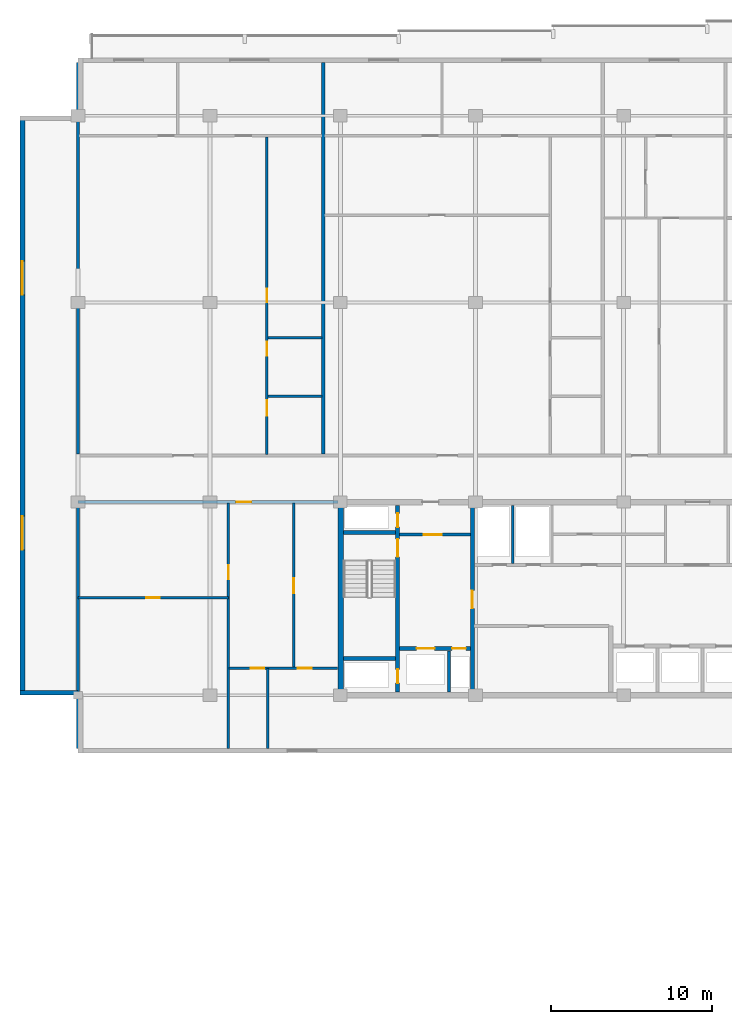
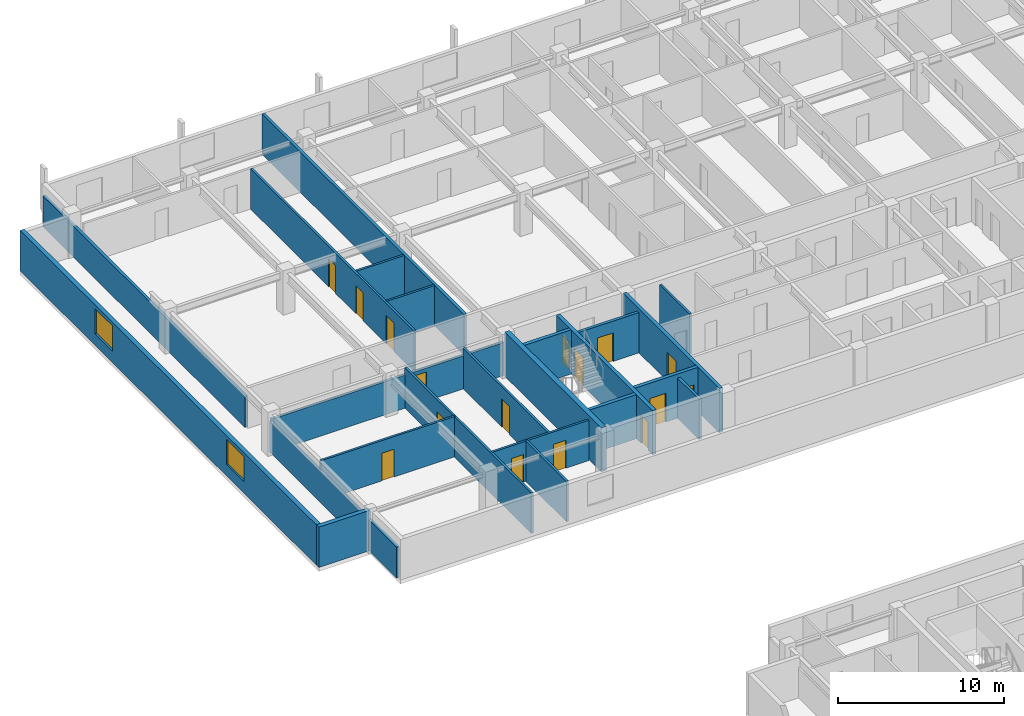
# One storey, part 10 of 21: 23 walls, 16 doors, 2 windows, 18 openings.
"""IFC4 building model written with IfcOpenShell, lengths in metres."""

from ifc_helpers import new_model, si_unit, direction, frame, frame_2d, origin, place, context, subcontext, project, spatial, rectangle, extrude, material, layer, layer_set, type_object, element, fill, save


model = new_model("IFC4")

# Units and contexts
model_context = context("Model", 3, precision=1e-05, world=origin(), true_north=direction((0.0, 1.0)))
body_context = subcontext(model_context, "Body", "Model", "MODEL_VIEW")
ifc_project = project(units=[si_unit("LENGTHUNIT", "METRE"), si_unit("AREAUNIT", "SQUARE_METRE"), si_unit("VOLUMEUNIT", "CUBIC_METRE"), si_unit("PLANEANGLEUNIT", "RADIAN"), si_unit("MASSUNIT", "GRAM", prefix="KILO")], contexts=[model_context])

# Site, building, storey
site_placement = place(None, origin())
site = spatial("IfcSite", under=ifc_project, at=site_placement, CompositionType="ELEMENT")
building_placement = place(site_placement, origin())
building = spatial("IfcBuilding", under=site, at=building_placement, Name="Korimba Cascade Residences", CompositionType="ELEMENT")
storey_placement = place(building_placement, frame((0.0, 0.0, 175.10009765625)))
storey = spatial("IfcBuildingStorey", under=building, at=storey_placement, Name="L50", CompositionType="ELEMENT", Elevation=175.10009765625)

# Wall, openings, windows
ifc_material_1 = material(Name="Precast concrete C40/50", Category="concrete")
ifc_layer_1 = layer(ifc_material_1, 0.300048828125)
ifc_layer_set_1 = layer_set([ifc_layer_1], Name="Precast concrete C40/50")
wall_type_1 = type_object("IfcWallType", Name="EW-STONE-300", PredefinedType="STANDARD", material=ifc_layer_set_1)
wall_1_placement = place(storey_placement, frame((56.35009765625, 91.199951171875, 0.0), z_axis=(0.0, 0.0, 1.0), x_axis=(0.0, -1.0, 0.0)))
wall_1 = element("IfcWall", 1, at=wall_1_placement, inside=storey, type_object=wall_type_1, Name="L50 T1 Perimeter Stone Wall E09", PredefinedType="STANDARD", context=body_context, shape_type="SweptSolid", body=[
    extrude(rectangle(XDim=36.0, YDim=0.300048828125, at=frame_2d((18.0, 0.0))), origin(), (0.0, 0.0, 1.0), 2.969970703125),
])
opening_1_placement = place(wall_1_placement, frame((9.030029296875, 0.0, 0.85009765625)))
opening_1 = element("IfcOpeningElement", 2, at=opening_1_placement, cuts=wall_1, Name="Opening W-03", PredefinedType="OPENING", context=body_context, shape_type="SweptSolid", body=[
    extrude(rectangle(XDim=2.10009765625, YDim=1.85009765625, at=frame_2d((1.050048828125, 0.925048828125))), frame((0.0, 0.16015625, 0.0), z_axis=(0.0, -1.0, 0.0), x_axis=(1.0, 0.0, 0.0)), (0.0, 0.0, 1.0), 0.320068359375),
])
opening_2_placement = place(wall_1_placement, frame((24.8701171875, 0.0, 0.85009765625)))
opening_2 = element("IfcOpeningElement", 3, at=opening_2_placement, cuts=wall_1, Name="Opening W-03", PredefinedType="OPENING", context=body_context, shape_type="SweptSolid", body=[
    extrude(rectangle(XDim=2.10009765625, YDim=1.85009765625, at=frame_2d((1.050048828125, 0.925048828125))), frame((0.0, 0.16015625, 0.0), z_axis=(0.0, -1.0, 0.0), x_axis=(1.0, 0.0, 0.0)), (0.0, 0.0, 1.0), 0.320068359375),
])
ifc_material_2 = material(Name="Double-Glazed Aluminium Window", Category="aluminium")
window_type = type_object("IfcWindowType", Name="WIN-CRN-2100", PartitioningType="DOUBLE_PANEL_HORIZONTAL", PredefinedType="WINDOW", material=ifc_material_2)
window_1_placement = place(opening_1_placement, origin())
window_1 = element("IfcWindow", 4, at=window_1_placement, inside=storey, type_object=window_type, Name="L50 T1 End View Window 9.1", OverallHeight=1.85009765625, OverallWidth=2.10009765625, PartitioningType="DOUBLE_PANEL_HORIZONTAL", PredefinedType="WINDOW", context=body_context, shape_type="SweptSolid", body=[
    extrude(rectangle(XDim=2.10009765625, YDim=1.85009765625, at=frame_2d((1.050048828125, 0.925048828125))), frame((0.0, 0.030029296875, 0.0), z_axis=(0.0, -1.0, 0.0), x_axis=(1.0, 0.0, 0.0)), (0.0, 0.0, 1.0), 0.06005859375),
])
fill(opening_1, window_1)
window_2_placement = place(opening_2_placement, origin())
window_2 = element("IfcWindow", 5, at=window_2_placement, inside=storey, type_object=window_type, Name="L50 T1 End View Window 9.2", OverallHeight=1.85009765625, OverallWidth=2.10009765625, PartitioningType="DOUBLE_PANEL_HORIZONTAL", PredefinedType="WINDOW", context=body_context, shape_type="SweptSolid", body=[
    extrude(rectangle(XDim=2.10009765625, YDim=1.85009765625, at=frame_2d((1.050048828125, 0.925048828125))), frame((0.0, 0.030029296875, 0.0), z_axis=(0.0, -1.0, 0.0), x_axis=(1.0, 0.0, 0.0)), (0.0, 0.0, 1.0), 0.06005859375),
])
fill(opening_2, window_2)

# Walls
wall_2_placement = place(storey_placement, frame((56.199951171875, 55.35009765625, 0.0), z_axis=(0.0, 0.0, 1.0), x_axis=(1.0, 0.0, 0.0)))
element("IfcWall", 6, at=wall_2_placement, inside=storey, type_object=wall_type_1, Name="L50 T1 Perimeter Stone Wall E10", PredefinedType="STANDARD", context=body_context, shape_type="SweptSolid", body=[
    extrude(rectangle(XDim=3.60009765625, YDim=0.300048828125, at=frame_2d((1.800048828125, 0.0))), origin(), (0.0, 0.0, 1.0), 2.969970703125),
])
ifc_material_3 = material(Name="Concrete C65/80", Category="concrete")
ifc_layer_2 = layer(ifc_material_3, 0.35009765625)
ifc_layer_set_2 = layer_set([ifc_layer_2], Name="Concrete C65/80")
wall_type_2 = type_object("IfcWallType", Name="WAL-CORE-350", PredefinedType="SHEAR", material=ifc_layer_set_2)
wall_3_placement = place(storey_placement, frame((76.125, 55.375, 0.0), z_axis=(0.0, 0.0, 1.0), x_axis=(0.0, 1.0, 0.0)))
element("IfcWall", 7, at=wall_3_placement, inside=storey, type_object=wall_type_2, Name="L50 Core Shear Wall CW-L50-T1-W", PredefinedType="SHEAR", context=body_context, shape_type="SweptSolid", body=[
    extrude(rectangle(XDim=11.64990234375, YDim=0.35009765625, at=frame_2d((5.824951171875, 0.0))), origin(), (0.0, 0.0, 1.0), 3.25),
])
ifc_layer_3 = layer(ifc_material_1, 0.199951171875)
ifc_layer_set_3 = layer_set([ifc_layer_3], Name="Precast concrete C40/50")
wall_type_3 = type_object("IfcWallType", Name="WAL-IT-200", PredefinedType="PARTITIONING", material=ifc_layer_set_3)
wall_4_placement = place(storey_placement, frame((59.800048828125, 51.89990234375, 0.0), z_axis=(0.0, 0.0, 1.0), x_axis=(0.0, 1.0, 0.0)))
element("IfcWall", 8, at=wall_4_placement, inside=storey, type_object=wall_type_3, Name="L50 Partition Wall WAL-L50-T1-FW-WL", PredefinedType="PARTITIONING", context=body_context, shape_type="SweptSolid", body=[
    extrude(rectangle(XDim=15.300048828125, YDim=0.199951171875, at=frame_2d((7.64990234375, 0.0))), origin(), (0.0, 0.0, 1.0), 2.277099609375),
])

# Wall, opening, door
wall_5_placement = place(storey_placement, frame((59.800048828125, 67.199951171875, 0.0), z_axis=(0.0, 0.0, 1.0), x_axis=(1.0, 0.0, 0.0)))
wall_5 = element("IfcWall", 9, at=wall_5_placement, inside=storey, type_object=wall_type_3, Name="L50 Partition Wall WAL-L50-T1-FW-N", PredefinedType="PARTITIONING", context=body_context, shape_type="SweptSolid", body=[
    extrude(rectangle(XDim=16.14990234375, YDim=0.199951171875, at=frame_2d((8.074951171875, 0.0))), origin(), (0.0, 0.0, 1.0), 2.43310546875),
])
opening_3_placement = place(wall_5_placement, frame((9.823486328125, 0.0, 0.0)))
opening_3 = element("IfcOpeningElement", 10, at=opening_3_placement, cuts=wall_5, Name="Opening D-UN1", PredefinedType="OPENING", context=body_context, shape_type="SweptSolid", body=[
    extrude(rectangle(XDim=0.949951171875, YDim=2.14990234375, at=frame_2d((0.47509765625, 1.074951171875))), frame((0.0, 0.10986328125, 0.0), z_axis=(0.0, -1.0, 0.0), x_axis=(1.0, 0.0, 0.0)), (0.0, 0.0, 1.0), 0.219970703125),
])
ifc_material_4 = material(Name="Fire-Rated Hardwood Apartment Entrance Door", Category="wood")
door_type_1 = type_object("IfcDoorType", Name="DR-FD60-950", OperationType="NOTDEFINED", PredefinedType="DOOR", material=ifc_material_4)
door_1_placement = place(opening_3_placement, origin())
door_1 = element("IfcDoor", 11, at=door_1_placement, inside=storey, type_object=door_type_1, Name="L50-T1-FW Entrance Door", OperationType="SINGLE_SWING_RIGHT", OverallHeight=2.14990234375, OverallWidth=0.949951171875, PredefinedType="DOOR", context=body_context, shape_type="SweptSolid", body=[
    extrude(rectangle(XDim=0.949951171875, YDim=2.14990234375, at=frame_2d((0.47509765625, 1.074951171875))), frame((0.0, 0.02490234375, 0.0), z_axis=(0.0, -1.0, 0.0), x_axis=(1.0, 0.0, 0.0)), (0.0, 0.0, 1.0), 0.050048828125),
])
fill(opening_3, door_1)

# Walls
wall_6_placement = place(storey_placement, frame((59.800048828125, 70.179931640625, 0.0), z_axis=(0.0, 0.0, 1.0), x_axis=(0.0, 1.0, 0.0)))
element("IfcWall", 12, at=wall_6_placement, inside=storey, type_object=wall_type_3, Name="L50 Partition Wall WAL-L50-T1-BNDWL", PredefinedType="PARTITIONING", context=body_context, shape_type="SweptSolid", body=[
    extrude(rectangle(XDim=24.320068359375, YDim=0.199951171875, at=frame_2d((12.16015625, 0.0))), origin(), (0.0, 0.0, 1.0), 2.277099609375),
])
wall_7_placement = place(storey_placement, frame((75.04150390625, 70.179931640625, 0.0), z_axis=(0.0, 0.0, 1.0), x_axis=(0.0, 1.0, 0.0)))
element("IfcWall", 13, at=wall_7_placement, inside=storey, type_object=wall_type_3, Name="L50 Partition Wall WAL-L50-T1-DEM-1", PredefinedType="PARTITIONING", context=body_context, shape_type="SweptSolid", body=[
    extrude(rectangle(XDim=24.320068359375, YDim=0.199951171875, at=frame_2d((12.16015625, 0.0))), origin(), (0.0, 0.0, 1.0), 2.969970703125),
])
ifc_material_5 = material(Name="Insulated Acoustic Stud Partition", Category="gypsum")
ifc_layer_4 = layer(ifc_material_5, 0.14990234375)
ifc_layer_set_4 = layer_set([ifc_layer_4], Name="Insulated Acoustic Stud Partition")
wall_type_4 = type_object("IfcWallType", Name="WAL-PART-150", PredefinedType="PARTITIONING", material=ifc_layer_set_4)
wall_8_placement = place(storey_placement, frame((86.800048828125, 63.39990234375, 0.0), z_axis=(0.0, 0.0, 1.0), x_axis=(0.0, 1.0, 0.0)))
element("IfcWall", 14, at=wall_8_placement, inside=storey, type_object=wall_type_4, Name="L50 Partition Wall CW-L50-T1-ERDIV", PredefinedType="PARTITIONING", context=body_context, shape_type="SweptSolid", body=[
    extrude(rectangle(XDim=3.60009765625, YDim=0.14990234375, at=frame_2d((1.800048828125, 0.0))), origin(), (0.0, 0.0, 1.0), 2.969970703125),
])

# Wall, opening, door
wall_9_placement = place(storey_placement, frame((59.800048828125, 61.25, 0.0), z_axis=(0.0, 0.0, 1.0), x_axis=(1.0, 0.0, 0.0)))
wall_9 = element("IfcWall", 15, at=wall_9_placement, inside=storey, type_object=wall_type_4, Name="L50 Partition Wall WAL-L50-T1-FW-STH", PredefinedType="PARTITIONING", context=body_context, shape_type="SweptSolid", body=[
    extrude(rectangle(XDim=9.349853515625, YDim=0.14990234375, at=frame_2d((4.6748046875, 0.0))), origin(), (0.0, 0.0, 1.0), 2.969970703125),
])
opening_4_placement = place(wall_9_placement, frame((4.2548828125, 0.0, 0.0)))
opening_4 = element("IfcOpeningElement", 16, at=opening_4_placement, cuts=wall_9, Name="Opening D-BT1", PredefinedType="OPENING", context=body_context, shape_type="SweptSolid", body=[
    extrude(rectangle(XDim=0.840087890625, YDim=2.0400390625, at=frame_2d((0.419921875, 1.02001953125))), frame((0.0, 0.0849609375, 0.0), z_axis=(0.0, -1.0, 0.0), x_axis=(1.0, 0.0, 0.0)), (0.0, 0.0, 1.0), 0.169921875),
])
ifc_material_6 = material(Name="Moisture-Resistant Bathroom Timber Door", Category="wood")
door_type_2 = type_object("IfcDoorType", Name="DR-INT-850", OperationType="NOTDEFINED", PredefinedType="DOOR", material=ifc_material_6)
door_2_placement = place(opening_4_placement, origin())
door_2 = element("IfcDoor", 17, at=door_2_placement, inside=storey, type_object=door_type_2, Name="L50-T1-FW Dressing Store Door", OperationType="SINGLE_SWING_LEFT", OverallHeight=2.0400390625, OverallWidth=0.840087890625, PredefinedType="DOOR", context=body_context, shape_type="SweptSolid", body=[
    extrude(rectangle(XDim=0.840087890625, YDim=2.0400390625, at=frame_2d((0.419921875, 1.02001953125))), frame((0.0, 0.02490234375, 0.0), z_axis=(0.0, -1.0, 0.0), x_axis=(1.0, 0.0, 0.0)), (0.0, 0.0, 1.0), 0.050048828125),
])
fill(opening_4, door_2)

wall_10_placement = place(storey_placement, frame((69.14990234375, 51.89990234375, 0.0), z_axis=(0.0, 0.0, 1.0), x_axis=(0.0, 1.0, 0.0)))
wall_10 = element("IfcWall", 18, at=wall_10_placement, inside=storey, type_object=wall_type_4, Name="L50 Partition Wall WAL-L50-T1-FW-STV", PredefinedType="PARTITIONING", context=body_context, shape_type="SweptSolid", body=[
    extrude(rectangle(XDim=15.25, YDim=0.14990234375, at=frame_2d((7.625, 0.0))), origin(), (0.0, 0.0, 1.0), 2.969970703125),
])
opening_5_placement = place(wall_10_placement, frame((10.5, 0.0, 0.0)))
opening_5 = element("IfcOpeningElement", 19, at=opening_5_placement, cuts=wall_10, Name="Opening D-IN2", PredefinedType="OPENING", context=body_context, shape_type="SweptSolid", body=[
    extrude(rectangle(XDim=0.8798828125, YDim=2.06005859375, at=frame_2d((0.43994140625, 1.030029296875))), frame((0.0, 0.0849609375, 0.0), z_axis=(0.0, -1.0, 0.0), x_axis=(1.0, 0.0, 0.0)), (0.0, 0.0, 1.0), 0.169921875),
])
ifc_material_7 = material(Name="Acoustic Timber Bedroom Door", Category="wood")
door_type_3 = type_object("IfcDoorType", Name="DR-INT-880", OperationType="NOTDEFINED", PredefinedType="DOOR", material=ifc_material_7)
door_3_placement = place(opening_5_placement, origin())
door_3 = element("IfcDoor", 20, at=door_3_placement, inside=storey, type_object=door_type_3, Name="L50-T1-FW Study Door", OperationType="SINGLE_SWING_RIGHT", OverallHeight=2.06005859375, OverallWidth=0.8798828125, PredefinedType="DOOR", context=body_context, shape_type="SweptSolid", body=[
    extrude(rectangle(XDim=0.8798828125, YDim=2.06005859375, at=frame_2d((0.43994140625, 1.030029296875))), frame((0.0, 0.02490234375, 0.0), z_axis=(0.0, -1.0, 0.0), x_axis=(1.0, 0.0, 0.0)), (0.0, 0.0, 1.0), 0.050048828125),
])
fill(opening_5, door_3)

wall_11_placement = place(storey_placement, frame((73.199951171875, 56.8701171875, 0.0), z_axis=(0.0, 0.0, 1.0), x_axis=(0.0, 1.0, 0.0)))
wall_11 = element("IfcWall", 21, at=wall_11_placement, inside=storey, type_object=wall_type_4, Name="L50 Partition Wall WAL-L50-T1-FW-VN", PredefinedType="PARTITIONING", context=body_context, shape_type="SweptSolid", body=[
    extrude(rectangle(XDim=10.27978515625, YDim=0.14990234375, at=frame_2d((5.139892578125, 0.0))), origin(), (0.0, 0.0, 1.0), 2.969970703125),
])
opening_6_placement = place(wall_11_placement, frame((4.679931640625, 0.0, 0.0)))
opening_6 = element("IfcOpeningElement", 22, at=opening_6_placement, cuts=wall_11, Name="Opening D-IN1", PredefinedType="OPENING", context=body_context, shape_type="SweptSolid", body=[
    extrude(rectangle(XDim=0.919921875, YDim=2.080078125, at=frame_2d((0.4599609375, 1.0400390625))), frame((0.0, 0.0849609375, 0.0), z_axis=(0.0, -1.0, 0.0), x_axis=(1.0, 0.0, 0.0)), (0.0, 0.0, 1.0), 0.169921875),
])
ifc_material_8 = material(Name="Acoustic Timber Living Door", Category="wood")
door_type_4 = type_object("IfcDoorType", Name="DR-INT-920", OperationType="NOTDEFINED", PredefinedType="DOOR", material=ifc_material_8)
door_4_placement = place(opening_6_placement, origin())
door_4 = element("IfcDoor", 23, at=door_4_placement, inside=storey, type_object=door_type_4, Name="L50-T1-FW Living Door", OperationType="SINGLE_SWING_LEFT", OverallHeight=2.080078125, OverallWidth=0.919921875, PredefinedType="DOOR", context=body_context, shape_type="SweptSolid", body=[
    extrude(rectangle(XDim=0.919921875, YDim=2.080078125, at=frame_2d((0.4599609375, 1.0400390625))), frame((0.0, 0.02490234375, 0.0), z_axis=(0.0, -1.0, 0.0), x_axis=(1.0, 0.0, 0.0)), (0.0, 0.0, 1.0), 0.050048828125),
])
fill(opening_6, door_4)

# Wall
wall_12_placement = place(storey_placement, frame((71.60009765625, 51.89990234375, 0.0), z_axis=(0.0, 0.0, 1.0), x_axis=(0.0, 1.0, 0.0)))
element("IfcWall", 24, at=wall_12_placement, inside=storey, type_object=wall_type_4, Name="L50 Partition Wall WAL-L50-T1-FW-VS", PredefinedType="PARTITIONING", context=body_context, shape_type="SweptSolid", body=[
    extrude(rectangle(XDim=4.97021484375, YDim=0.14990234375, at=frame_2d((2.485107421875, 0.0))), origin(), (0.0, 0.0, 1.0), 2.969970703125),
])

# Wall, openings, doors
wall_13_placement = place(storey_placement, frame((69.169921875, 56.8701171875, 0.0), z_axis=(0.0, 0.0, 1.0), x_axis=(1.0, 0.0, 0.0)))
wall_13 = element("IfcWall", 25, at=wall_13_placement, inside=storey, type_object=wall_type_4, Name="L50 Partition Wall WAL-L50-T1-FW-H", PredefinedType="PARTITIONING", context=body_context, shape_type="SweptSolid", body=[
    extrude(rectangle(XDim=6.760009765625, YDim=0.14990234375, at=frame_2d((3.3798828125, 0.0))), origin(), (0.0, 0.0, 1.0), 2.969970703125),
])
opening_7_placement = place(wall_13_placement, frame((1.3623046875, 0.0, 0.0)))
opening_7 = element("IfcOpeningElement", 26, at=opening_7_placement, cuts=wall_13, Name="Opening D-BT1", PredefinedType="OPENING", context=body_context, shape_type="SweptSolid", body=[
    extrude(rectangle(XDim=0.840087890625, YDim=2.0400390625, at=frame_2d((0.419921875, 1.02001953125))), frame((0.0, 0.0849609375, 0.0), z_axis=(0.0, -1.0, 0.0), x_axis=(1.0, 0.0, 0.0)), (0.0, 0.0, 1.0), 0.169921875),
])
opening_8_placement = place(wall_13_placement, frame((4.276611328125, 0.0, 0.0)))
opening_8 = element("IfcOpeningElement", 27, at=opening_8_placement, cuts=wall_13, Name="Opening D-IN2", PredefinedType="OPENING", context=body_context, shape_type="SweptSolid", body=[
    extrude(rectangle(XDim=0.8798828125, YDim=2.06005859375, at=frame_2d((0.43994140625, 1.030029296875))), frame((0.0, 0.0849609375, 0.0), z_axis=(0.0, -1.0, 0.0), x_axis=(1.0, 0.0, 0.0)), (0.0, 0.0, 1.0), 0.169921875),
])
door_5_placement = place(opening_7_placement, origin())
door_5 = element("IfcDoor", 28, at=door_5_placement, inside=storey, type_object=door_type_2, Name="L50-T1-FW Bathroom Door", OperationType="SINGLE_SWING_RIGHT", OverallHeight=2.0400390625, OverallWidth=0.840087890625, PredefinedType="DOOR", context=body_context, shape_type="SweptSolid", body=[
    extrude(rectangle(XDim=0.840087890625, YDim=2.0400390625, at=frame_2d((0.419921875, 1.02001953125))), frame((0.0, 0.02490234375, 0.0), z_axis=(0.0, -1.0, 0.0), x_axis=(1.0, 0.0, 0.0)), (0.0, 0.0, 1.0), 0.050048828125),
])
fill(opening_7, door_5)
door_6_placement = place(opening_8_placement, origin())
door_6 = element("IfcDoor", 29, at=door_6_placement, inside=storey, type_object=door_type_3, Name="L50-T1-FW Bedroom Door", OperationType="SINGLE_SWING_LEFT", OverallHeight=2.06005859375, OverallWidth=0.8798828125, PredefinedType="DOOR", context=body_context, shape_type="SweptSolid", body=[
    extrude(rectangle(XDim=0.8798828125, YDim=2.06005859375, at=frame_2d((0.43994140625, 1.030029296875))), frame((0.0, 0.02490234375, 0.0), z_axis=(0.0, -1.0, 0.0), x_axis=(1.0, 0.0, 0.0)), (0.0, 0.0, 1.0), 0.050048828125),
])
fill(opening_8, door_6)

# Walls
for number, where, z_axis, x_axis, name in (
    (30, (71.601318359375, 73.77001953125, 0.0), (0.0, 0.0, 1.0), (1.0, 0.0, 0.0), "L50 Partition Wall WAL-L50-T1-U01-WCH"),
    (31, (71.601318359375, 77.419921875, 0.0), (0.0, 0.0, 1.0), (1.0, 0.0, 0.0), "L50 Partition Wall WAL-L50-T1-U01-WCH2"),
):
    element("IfcWall", number, at=place(storey_placement, frame(where, z_axis=z_axis, x_axis=x_axis)), inside=storey, type_object=wall_type_4, Name=name, PredefinedType="PARTITIONING", context=body_context, shape_type="SweptSolid", body=[
        extrude(rectangle(XDim=3.360107421875, YDim=0.14990234375, at=frame_2d((1.68017578125, 0.0))), origin(), (0.0, 0.0, 1.0), 2.969970703125),
    ])

# Wall, openings, doors
wall_14_placement = place(storey_placement, frame((71.54150390625, 70.159912109375, 0.0), z_axis=(0.0, 0.0, 1.0), x_axis=(0.0, 1.0, 0.0)))
wall_14 = element("IfcWall", 32, at=wall_14_placement, inside=storey, type_object=wall_type_4, Name="L50 Partition Wall WAL-L50-T1-U01-WCV", PredefinedType="PARTITIONING", context=body_context, shape_type="SweptSolid", body=[
    extrude(rectangle(XDim=19.72998046875, YDim=0.14990234375, at=frame_2d((9.864990234375, 0.0))), origin(), (0.0, 0.0, 1.0), 2.969970703125),
])
opening_9_placement = place(wall_14_placement, frame((2.406005859375, 0.0, 0.0)))
opening_9 = element("IfcOpeningElement", 33, at=opening_9_placement, cuts=wall_14, Name="Opening D-AC1", PredefinedType="OPENING", context=body_context, shape_type="SweptSolid", body=[
    extrude(rectangle(XDim=0.9599609375, YDim=2.10009765625, at=frame_2d((0.47998046875, 1.050048828125))), frame((0.0, 0.0849609375, 0.0), z_axis=(0.0, -1.0, 0.0), x_axis=(1.0, 0.0, 0.0)), (0.0, 0.0, 1.0), 0.169921875),
])
opening_10_placement = place(wall_14_placement, frame((6.132568359375, 0.0, 0.0)))
opening_10 = element("IfcOpeningElement", 34, at=opening_10_placement, cuts=wall_14, Name="Opening D-IN2", PredefinedType="OPENING", context=body_context, shape_type="SweptSolid", body=[
    extrude(rectangle(XDim=0.8798828125, YDim=2.06005859375, at=frame_2d((0.43994140625, 1.030029296875))), frame((0.0, 0.0849609375, 0.0), z_axis=(0.0, -1.0, 0.0), x_axis=(1.0, 0.0, 0.0)), (0.0, 0.0, 1.0), 0.169921875),
])
opening_11_placement = place(wall_14_placement, frame((9.445068359375, 0.0, 0.0)))
opening_11 = element("IfcOpeningElement", 35, at=opening_11_placement, cuts=wall_14, Name="Opening D-BT1", PredefinedType="OPENING", context=body_context, shape_type="SweptSolid", body=[
    extrude(rectangle(XDim=0.840087890625, YDim=2.0400390625, at=frame_2d((0.419921875, 1.02001953125))), frame((0.0, 0.0849609375, 0.0), z_axis=(0.0, -1.0, 0.0), x_axis=(1.0, 0.0, 0.0)), (0.0, 0.0, 1.0), 0.169921875),
])
ifc_material_9 = material(Name="Accessible Acoustic Timber WC Door", Category="wood")
door_type_5 = type_object("IfcDoorType", Name="DR-ACC-950", OperationType="NOTDEFINED", PredefinedType="DOOR", material=ifc_material_9)
door_7_placement = place(opening_9_placement, origin())
door_7 = element("IfcDoor", 36, at=door_7_placement, inside=storey, type_object=door_type_5, Name="L50-T1-U01 Accessible WC Door", OperationType="SINGLE_SWING_LEFT", OverallHeight=2.10009765625, OverallWidth=0.9599609375, PredefinedType="DOOR", context=body_context, shape_type="SweptSolid", body=[
    extrude(rectangle(XDim=0.9599609375, YDim=2.10009765625, at=frame_2d((0.47998046875, 1.050048828125))), frame((0.0, 0.02490234375, 0.0), z_axis=(0.0, -1.0, 0.0), x_axis=(1.0, 0.0, 0.0)), (0.0, 0.0, 1.0), 0.050048828125),
])
fill(opening_9, door_7)
door_8_placement = place(opening_11_placement, origin())
door_8 = element("IfcDoor", 37, at=door_8_placement, inside=storey, type_object=door_type_2, Name="L50-T1-U01 Suite Store Door", OperationType="SINGLE_SWING_LEFT", OverallHeight=2.0400390625, OverallWidth=0.840087890625, PredefinedType="DOOR", context=body_context, shape_type="SweptSolid", body=[
    extrude(rectangle(XDim=0.840087890625, YDim=2.0400390625, at=frame_2d((0.419921875, 1.02001953125))), frame((0.0, 0.02490234375, 0.0), z_axis=(0.0, -1.0, 0.0), x_axis=(1.0, 0.0, 0.0)), (0.0, 0.0, 1.0), 0.050048828125),
])
fill(opening_11, door_8)
door_9_placement = place(opening_10_placement, origin())
door_9 = element("IfcDoor", 38, at=door_9_placement, inside=storey, type_object=door_type_3, Name="L50-T1-U01 Restroom WC Door", OperationType="SINGLE_SWING_RIGHT", OverallHeight=2.06005859375, OverallWidth=0.8798828125, PredefinedType="DOOR", context=body_context, shape_type="SweptSolid", body=[
    extrude(rectangle(XDim=0.8798828125, YDim=2.06005859375, at=frame_2d((0.43994140625, 1.030029296875))), frame((0.0, 0.02490234375, 0.0), z_axis=(0.0, -1.0, 0.0), x_axis=(1.0, 0.0, 0.0)), (0.0, 0.0, 1.0), 0.050048828125),
])
fill(opening_10, door_9)

# Wall
ifc_material_10 = material(Name="Concrete C40/50", Category="concrete")
ifc_layer_5 = layer(ifc_material_10, 0.199951171875)
ifc_layer_set_5 = layer_set([ifc_layer_5], Name="Concrete C40/50")
wall_type_5 = type_object("IfcWallType", Name="WAL-PART-200", PredefinedType="PARTITIONING", material=ifc_layer_set_5)
wall_15_placement = place(storey_placement, frame((82.85009765625, 55.39990234375, 0.0), z_axis=(0.0, 0.0, 1.0), x_axis=(0.0, 1.0, 0.0)))
element("IfcWall", 39, at=wall_15_placement, inside=storey, type_object=wall_type_5, Name="L50 Partition Wall CW-L50-T1-FFLDIV", PredefinedType="PARTITIONING", context=body_context, shape_type="SweptSolid", body=[
    extrude(rectangle(XDim=2.56005859375, YDim=0.199951171875, at=frame_2d((1.280029296875, 0.0))), origin(), (0.0, 0.0, 1.0), 2.969970703125),
])

# Wall, opening, door
wall_16_placement = place(storey_placement, frame((79.7900390625, 65.179931640625, 0.0), z_axis=(0.0, 0.0, 1.0), x_axis=(1.0, 0.0, 0.0)))
wall_16 = element("IfcWall", 40, at=wall_16_placement, inside=storey, type_object=wall_type_5, Name="L50 Partition Wall CW-L50-T1-FFLN", PredefinedType="PARTITIONING", context=body_context, shape_type="SweptSolid", body=[
    extrude(rectangle(XDim=4.389892578125, YDim=0.199951171875, at=frame_2d((2.19482421875, 0.0))), origin(), (0.0, 0.0, 1.0), 2.969970703125),
])
opening_12_placement = place(wall_16_placement, frame((1.5, 0.0, 0.0)))
opening_12 = element("IfcOpeningElement", 41, at=opening_12_placement, cuts=wall_16, Name="Opening D-FD1", PredefinedType="OPENING", context=body_context, shape_type="SweptSolid", body=[
    extrude(rectangle(XDim=1.10009765625, YDim=2.10009765625, at=frame_2d((0.550048828125, 1.050048828125))), frame((0.0, 0.10986328125, 0.0), z_axis=(0.0, -1.0, 0.0), x_axis=(1.0, 0.0, 0.0)), (0.0, 0.0, 1.0), 0.219970703125),
])
ifc_material_11 = material(Name="Fire-Rated Steel Core Door", Category="steel")
door_type_6 = type_object("IfcDoorType", Name="DR-FD120-1100", OperationType="NOTDEFINED", PredefinedType="DOOR", material=ifc_material_11)
door_10_placement = place(opening_12_placement, origin())
door_10 = element("IfcDoor", 42, at=door_10_placement, inside=storey, type_object=door_type_6, Name="L50 West Firefighting Lobby Door", OperationType="SINGLE_SWING_LEFT", OverallHeight=2.10009765625, OverallWidth=1.10009765625, PredefinedType="DOOR", context=body_context, shape_type="SweptSolid", body=[
    extrude(rectangle(XDim=1.10009765625, YDim=2.10009765625, at=frame_2d((0.550048828125, 1.050048828125))), frame((0.0, 0.02490234375, 0.0), z_axis=(0.0, -1.0, 0.0), x_axis=(1.0, 0.0, 0.0)), (0.0, 0.0, 1.0), 0.050048828125),
])
fill(opening_12, door_10)

# Wall, openings, doors
ifc_material_12 = material(Name="Concrete C50/60", Category="concrete")
ifc_layer_6 = layer(ifc_material_12, 0.25)
ifc_layer_set_6 = layer_set([ifc_layer_6], Name="Concrete C50/60")
wall_type_6 = type_object("IfcWallType", Name="WAL-SHAFT-250", PredefinedType="SHEAR", material=ifc_layer_set_6)
wall_17_placement = place(storey_placement, frame((79.6650390625, 55.39990234375, 0.0), z_axis=(0.0, 0.0, 1.0), x_axis=(0.0, 1.0, 0.0)))
wall_17 = element("IfcWall", 43, at=wall_17_placement, inside=storey, type_object=wall_type_6, Name="L50 Core Shear Wall CW-L50-T1-STW1E", PredefinedType="SHEAR", context=body_context, shape_type="SweptSolid", body=[
    extrude(rectangle(XDim=11.60009765625, YDim=0.25, at=frame_2d((5.800048828125, 0.0))), origin(), (0.0, 0.0, 1.0), 3.25),
])
opening_13_placement = place(wall_17_placement, frame((0.550048828125, 0.0, 0.0)))
opening_13 = element("IfcOpeningElement", 44, at=opening_13_placement, cuts=wall_17, Name="Opening D-RS1", PredefinedType="OPENING", context=body_context, shape_type="SweptSolid", body=[
    extrude(rectangle(XDim=0.85009765625, YDim=2.050048828125, at=frame_2d((0.425048828125, 1.02490234375))), frame((0.0, 0.135009765625, 0.0), z_axis=(0.0, -1.0, 0.0), x_axis=(1.0, 0.0, 0.0)), (0.0, 0.0, 1.0), 0.27001953125),
])
opening_14_placement = place(wall_17_placement, frame((8.39990234375, 0.0, 0.0)))
opening_14 = element("IfcOpeningElement", 45, at=opening_14_placement, cuts=wall_17, Name="Opening D-FD1", PredefinedType="OPENING", context=body_context, shape_type="SweptSolid", body=[
    extrude(rectangle(XDim=1.10009765625, YDim=2.10009765625, at=frame_2d((0.550048828125, 1.050048828125))), frame((0.0, 0.135009765625, 0.0), z_axis=(0.0, -1.0, 0.0), x_axis=(1.0, 0.0, 0.0)), (0.0, 0.0, 1.0), 0.27001953125),
])
opening_15_placement = place(wall_17_placement, frame((10.25, 0.0, 0.0)))
opening_15 = element("IfcOpeningElement", 46, at=opening_15_placement, cuts=wall_17, Name="Opening D-RS1", PredefinedType="OPENING", context=body_context, shape_type="SweptSolid", body=[
    extrude(rectangle(XDim=0.85009765625, YDim=2.050048828125, at=frame_2d((0.425048828125, 1.02490234375))), frame((0.0, 0.135009765625, 0.0), z_axis=(0.0, -1.0, 0.0), x_axis=(1.0, 0.0, 0.0)), (0.0, 0.0, 1.0), 0.27001953125),
])
door_11_placement = place(opening_14_placement, origin())
door_11 = element("IfcDoor", 47, at=door_11_placement, inside=storey, type_object=door_type_6, Name="L50 Fire Stair ST-W1 Door", OperationType="SINGLE_SWING_RIGHT", OverallHeight=2.10009765625, OverallWidth=1.10009765625, PredefinedType="DOOR", context=body_context, shape_type="SweptSolid", body=[
    extrude(rectangle(XDim=1.10009765625, YDim=2.10009765625, at=frame_2d((0.550048828125, 1.050048828125))), frame((0.0, 0.02490234375, 0.0), z_axis=(0.0, -1.0, 0.0), x_axis=(1.0, 0.0, 0.0)), (0.0, 0.0, 1.0), 0.050048828125),
])
fill(opening_14, door_11)
ifc_material_13 = material(Name="Fire-Rated Steel Riser Access Door", Category="steel")
door_type_7 = type_object("IfcDoorType", Name="DR-FD60-850", OperationType="NOTDEFINED", PredefinedType="DOOR", material=ifc_material_13)
door_12_placement = place(opening_13_placement, origin())
door_12 = element("IfcDoor", 48, at=door_12_placement, inside=storey, type_object=door_type_7, Name="L50 Smoke Riser Access Door", OperationType="SINGLE_SWING_LEFT", OverallHeight=2.050048828125, OverallWidth=0.85009765625, PredefinedType="DOOR", context=body_context, shape_type="SweptSolid", body=[
    extrude(rectangle(XDim=0.85009765625, YDim=2.050048828125, at=frame_2d((0.425048828125, 1.02490234375))), frame((0.0, 0.02490234375, 0.0), z_axis=(0.0, -1.0, 0.0), x_axis=(1.0, 0.0, 0.0)), (0.0, 0.0, 1.0), 0.050048828125),
])
fill(opening_13, door_12)
door_13_placement = place(opening_15_placement, origin())
door_13 = element("IfcDoor", 49, at=door_13_placement, inside=storey, type_object=door_type_7, Name="L50 Hydrant Riser Access Door", OperationType="SINGLE_SWING_LEFT", OverallHeight=2.050048828125, OverallWidth=0.85009765625, PredefinedType="DOOR", context=body_context, shape_type="SweptSolid", body=[
    extrude(rectangle(XDim=0.85009765625, YDim=2.050048828125, at=frame_2d((0.425048828125, 1.02490234375))), frame((0.0, 0.02490234375, 0.0), z_axis=(0.0, -1.0, 0.0), x_axis=(1.0, 0.0, 0.0)), (0.0, 0.0, 1.0), 0.050048828125),
])
fill(opening_15, door_13)

# Walls
for number, where, z_axis, x_axis, name in (
    (50, (76.300048828125, 57.47509765625, 0.0), (0.0, 0.0, 1.0), (1.0, 0.0, 0.0), "L50 Core Shear Wall CW-L50-T1-STW1S"),
    (51, (76.300048828125, 65.324951171875, 0.0), (0.0, 0.0, 1.0), (1.0, 0.0, 0.0), "L50 Core Shear Wall CW-L50-T1-STW1N"),
):
    element("IfcWall", number, at=place(storey_placement, frame(where, z_axis=z_axis, x_axis=x_axis)), inside=storey, type_object=wall_type_6, Name=name, PredefinedType="SHEAR", context=body_context, shape_type="SweptSolid", body=[
        extrude(rectangle(XDim=3.239990234375, YDim=0.25, at=frame_2d((1.6201171875, 0.0))), origin(), (0.0, 0.0, 1.0), 3.25),
    ])

# Wall, openings, doors
wall_18_placement = place(storey_placement, frame((79.7900390625, 58.10009765625, 0.0), z_axis=(0.0, 0.0, 1.0), x_axis=(1.0, 0.0, 0.0)))
wall_18 = element("IfcWall", 52, at=wall_18_placement, inside=storey, type_object=wall_type_6, Name="L50 Core Shear Wall CW-L50-T1-FFLS", PredefinedType="SHEAR", context=body_context, shape_type="SweptSolid", body=[
    extrude(rectangle(XDim=4.389892578125, YDim=0.25, at=frame_2d((2.19482421875, 0.0))), origin(), (0.0, 0.0, 1.0), 3.25),
])
opening_16_placement = place(wall_18_placement, frame((1.050048828125, 0.0, 0.0)))
opening_16 = element("IfcOpeningElement", 53, at=opening_16_placement, cuts=wall_18, Name="Opening LD-01", PredefinedType="OPENING", context=body_context, shape_type="SweptSolid", body=[
    extrude(rectangle(XDim=1.1201171875, YDim=2.1201171875, at=frame_2d((0.56005859375, 1.06005859375))), frame((0.0, 0.135009765625, 0.0), z_axis=(0.0, -1.0, 0.0), x_axis=(1.0, 0.0, 0.0)), (0.0, 0.0, 1.0), 0.27001953125),
])
opening_17_placement = place(wall_18_placement, frame((3.260009765625, 0.0, 0.0)))
opening_17 = element("IfcOpeningElement", 54, at=opening_17_placement, cuts=wall_18, Name="Opening D-RS1", PredefinedType="OPENING", context=body_context, shape_type="SweptSolid", body=[
    extrude(rectangle(XDim=0.85009765625, YDim=2.050048828125, at=frame_2d((0.425048828125, 1.02490234375))), frame((0.0, 0.135009765625, 0.0), z_axis=(0.0, -1.0, 0.0), x_axis=(1.0, 0.0, 0.0)), (0.0, 0.0, 1.0), 0.27001953125),
])
door_14_placement = place(opening_17_placement, origin())
door_14 = element("IfcDoor", 55, at=door_14_placement, inside=storey, type_object=door_type_7, Name="L50 Pressurisation Riser Door", OperationType="SINGLE_SWING_RIGHT", OverallHeight=2.050048828125, OverallWidth=0.85009765625, PredefinedType="DOOR", context=body_context, shape_type="SweptSolid", body=[
    extrude(rectangle(XDim=0.85009765625, YDim=2.050048828125, at=frame_2d((0.425048828125, 1.02490234375))), frame((0.0, 0.02490234375, 0.0), z_axis=(0.0, -1.0, 0.0), x_axis=(1.0, 0.0, 0.0)), (0.0, 0.0, 1.0), 0.050048828125),
])
fill(opening_17, door_14)
ifc_material_14 = material(Name="Stainless Steel Lift Landing Sliding Door", Category="steel")
door_type_8 = type_object("IfcDoorType", Name="DR-LIFT-1100", OperationType="NOTDEFINED", PredefinedType="DOOR", material=ifc_material_14)
door_15_placement = place(opening_16_placement, origin())
door_15 = element("IfcDoor", 56, at=door_15_placement, inside=storey, type_object=door_type_8, Name="L50 Firefighting Lift Landing Door FFL-W1", OperationType="SLIDING_TO_LEFT", OverallHeight=2.1201171875, OverallWidth=1.1201171875, PredefinedType="DOOR", context=body_context, shape_type="SweptSolid", body=[
    extrude(rectangle(XDim=1.1201171875, YDim=2.1201171875, at=frame_2d((0.56005859375, 1.06005859375))), frame((0.0, 0.02490234375, 0.0), z_axis=(0.0, -1.0, 0.0), x_axis=(1.0, 0.0, 0.0)), (0.0, 0.0, 1.0), 0.050048828125),
])
fill(opening_16, door_15)

# Wall, opening, door
wall_19_placement = place(storey_placement, frame((84.300048828125, 55.39990234375, 0.0), z_axis=(0.0, 0.0, 1.0), x_axis=(0.0, 1.0, 0.0)))
wall_19 = element("IfcWall", 57, at=wall_19_placement, inside=storey, type_object=wall_type_6, Name="L50 Core Shear Wall CW-L50-T1-FFLE", PredefinedType="SHEAR", context=body_context, shape_type="SweptSolid", body=[
    extrude(rectangle(XDim=11.60009765625, YDim=0.25, at=frame_2d((5.800048828125, 0.0))), origin(), (0.0, 0.0, 1.0), 3.25),
])
opening_18_placement = place(wall_19_placement, frame((5.199951171875, 0.0, 0.0)))
opening_18 = element("IfcOpeningElement", 58, at=opening_18_placement, cuts=wall_19, Name="Opening D-FD1", PredefinedType="OPENING", context=body_context, shape_type="SweptSolid", body=[
    extrude(rectangle(XDim=1.10009765625, YDim=2.10009765625, at=frame_2d((0.550048828125, 1.050048828125))), frame((0.0, 0.135009765625, 0.0), z_axis=(0.0, -1.0, 0.0), x_axis=(1.0, 0.0, 0.0)), (0.0, 0.0, 1.0), 0.27001953125),
])
door_16_placement = place(opening_18_placement, origin())
door_16 = element("IfcDoor", 59, at=door_16_placement, inside=storey, type_object=door_type_6, Name="L50 Firefighting Lobby to Lift Lobby Door", OperationType="SINGLE_SWING_RIGHT", OverallHeight=2.10009765625, OverallWidth=1.10009765625, PredefinedType="DOOR", context=body_context, shape_type="SweptSolid", body=[
    extrude(rectangle(XDim=1.10009765625, YDim=2.10009765625, at=frame_2d((0.550048828125, 1.050048828125))), frame((0.0, 0.02490234375, 0.0), z_axis=(0.0, -1.0, 0.0), x_axis=(1.0, 0.0, 0.0)), (0.0, 0.0, 1.0), 0.050048828125),
])
fill(opening_18, door_16)

save(model, "model.ifc")
